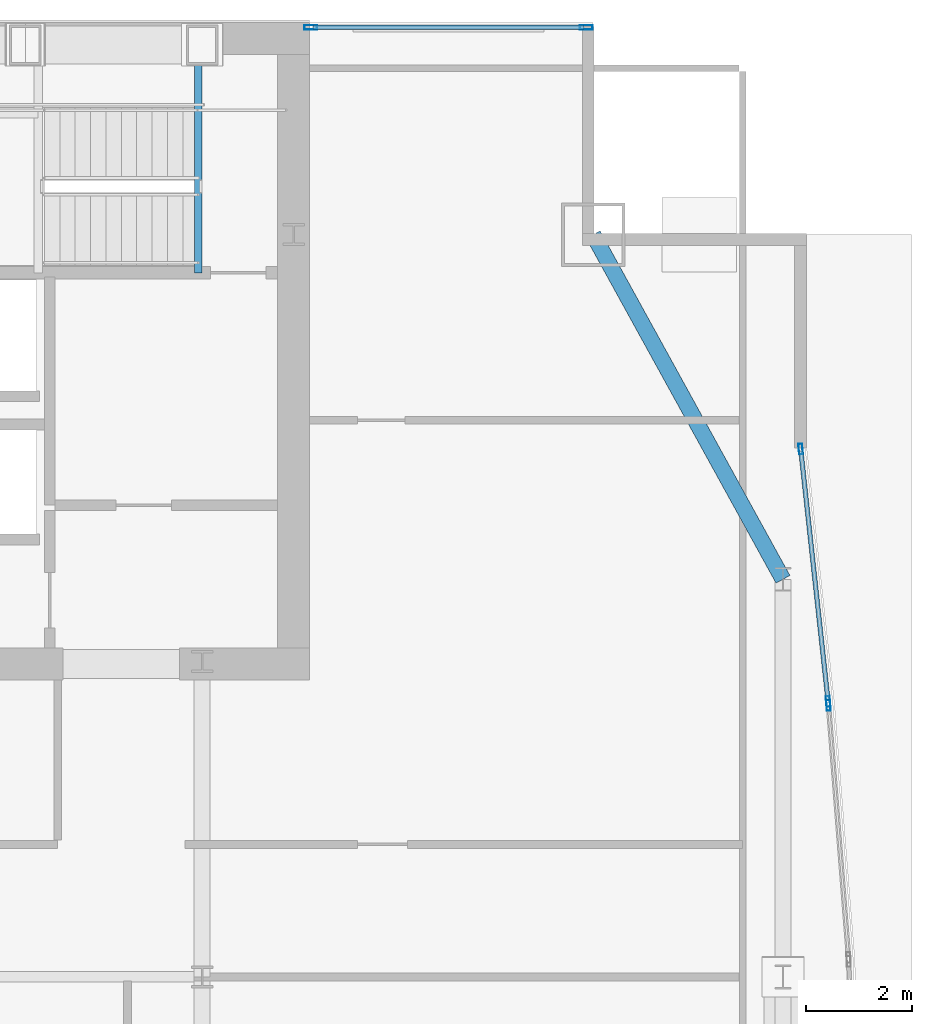
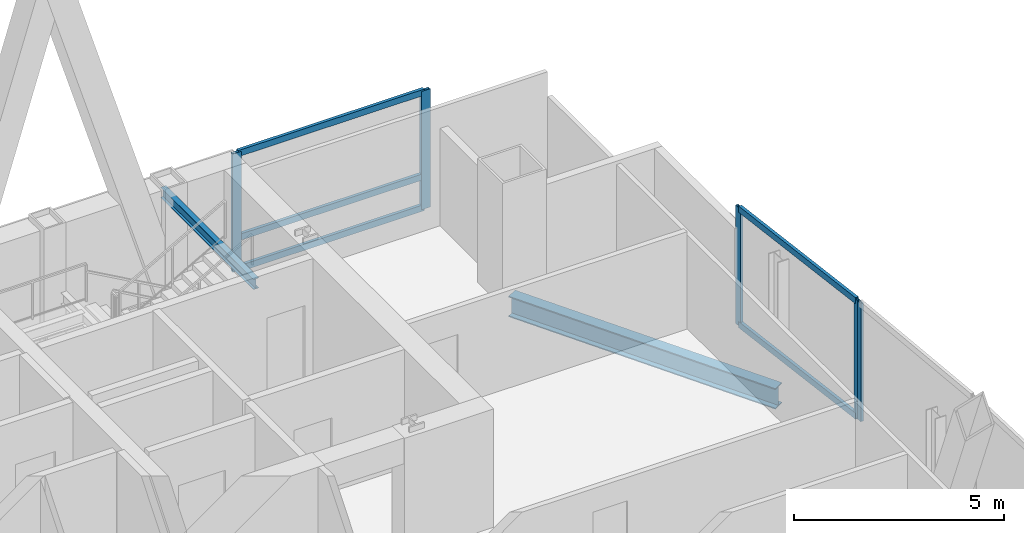
# One storey, part 24 of 32: 10 members, 2 beams, 3 elements without a shape of their own.
"""IFC4 building model written with IfcOpenShell, lengths in metres."""

from ifc_helpers import new_model, si_unit, direction, frame, origin, origin_2d, place, context, subcontext, project, spatial, hollow_rectangle, i_section, extrude, material, material_profile, profile_set, type_object, element, aggregate, save


model = new_model("IFC4")

# Units and contexts
model_context = context("Model", 3, precision=1e-05, world=origin(), true_north=direction((0.0, 1.0)))
body_context = subcontext(model_context, "Body", "Model", "MODEL_VIEW")
ifc_project = project(units=[si_unit("LENGTHUNIT", "METRE"), si_unit("AREAUNIT", "SQUARE_METRE"), si_unit("VOLUMEUNIT", "CUBIC_METRE"), si_unit("PLANEANGLEUNIT", "RADIAN"), si_unit("MASSUNIT", "GRAM", prefix="KILO")], contexts=[model_context])

# Site, building, storey
site_placement = place(None, origin())
site = spatial("IfcSite", under=ifc_project, at=site_placement, CompositionType="ELEMENT")
building_placement = place(site_placement, origin())
building = spatial("IfcBuilding", under=site, at=building_placement, Name="Khoronbel Lancet Exchange", CompositionType="ELEMENT")
storey_placement = place(building_placement, frame((0.0, 0.0, 188.60009765625)))
storey = spatial("IfcBuildingStorey", under=building, at=storey_placement, Name="L47", CompositionType="ELEMENT", Elevation=188.60009765625)

# Beams
ifc_material_1 = material(Name="Steel S355", Category="steel")
ifc_material_profile_1 = material_profile(ifc_material_1, i_section(OverallWidth=0.14990234375, OverallDepth=0.300048828125, WebThickness=0.007080078125, FlangeThickness=0.0107421875, at=origin_2d()), Name="IPE 300")
ifc_profile_set_1 = profile_set([ifc_material_profile_1], Name="Steel S355")
beam_type_1 = type_object("IfcBeamType", Name="BM-BJ8", PredefinedType="JOIST", material=ifc_profile_set_1)
beam_1_placement = place(storey_placement, frame((54.60009765625, 48.97998046875, 3.159912109375), z_axis=(0.0, 1.0, 0.0), x_axis=(-1.0, 0.0, 0.0)))
element("IfcBeam", 1, at=beam_1_placement, inside=storey, type_object=beam_type_1, Name="Level L47 stair ST2 upper-flight arrival trimmer beam", PredefinedType="JOIST", context=body_context, shape_type="SweptSolid", body=[
    extrude(i_section(OverallWidth=0.14990234375, OverallDepth=0.300048828125, WebThickness=0.007080078125, FlangeThickness=0.0107421875, at=origin_2d()), origin(), (0.0, 0.0, 1.0), 4.419921875),
])
ifc_material_profile_2 = material_profile(ifc_material_1, i_section(OverallWidth=0.300048828125, OverallDepth=0.60009765625, WebThickness=0.015380859375, FlangeThickness=0.030029296875, at=origin_2d()), Name="HEB 600")
ifc_profile_set_2 = profile_set([ifc_material_profile_2], Name="Steel S355")
beam_type_2 = type_object("IfcBeamType", Name="BM-BSP2", PredefinedType="SPANDREL", material=ifc_profile_set_2)
beam_2_placement = place(storey_placement, frame((65.6298828125, 43.199951171875, -0.460205078125), z_axis=(-0.482418808117, 0.875940690672, 0.0), x_axis=(-0.875940690672, -0.482418808117, 0.0)))
element("IfcBeam", 2, at=beam_2_placement, inside=storey, type_object=beam_type_2, Name="Level L47 perimeter spandrel beam SP13", PredefinedType="SPANDREL", context=body_context, shape_type="SweptSolid", body=[
    extrude(i_section(OverallWidth=0.300048828125, OverallDepth=0.60009765625, WebThickness=0.015380859375, FlangeThickness=0.030029296875, at=origin_2d()), origin(), (0.0, 0.0, 1.0), 7.420654296875),
])

# Curtain wall, members
ifc_material_2 = material(Name="Low-E Solar Control Insulating Glass", Category="glass")
curtain_wall_type_1 = type_object("IfcCurtainWallType", Name="CW-3", PredefinedType="NOTDEFINED", material=ifc_material_2)
curtain_wall_1_placement = place(storey_placement, origin())
curtain_wall_1 = element("IfcCurtainWall", 3, at=curtain_wall_1_placement, inside=storey, type_object=curtain_wall_type_1, Name="Unitised curtain wall CW-L47-NEFLK", PredefinedType="NOTDEFINED")
ifc_material_3 = material(Name="Bronze-Anodised Aluminium 6063-T6", Category="aluminium")
ifc_material_profile_3 = material_profile(ifc_material_3, hollow_rectangle(XDim=0.0849609375, YDim=0.239990234375, WallThickness=0.006103515625, at=origin_2d()), Name="ALU MULLION 85x240")
ifc_profile_set_3 = profile_set([ifc_material_profile_3], Name="Bronze-Anodised Aluminium 6063-T6")
member_type_1 = type_object("IfcMemberType", Name="MEM-CWM1", PredefinedType="MULLION", material=ifc_profile_set_3)
member_1_placement = place(storey_placement, frame((61.91748046875, 53.610107421875, 0.0), z_axis=(0.0, 0.0, 1.0), x_axis=(0.0, -1.0, 0.0)))
member_1 = element("IfcMember", 4, at=member_1_placement, type_object=member_type_1, Name="CW3 mullion 1", PredefinedType="MULLION", context=body_context, shape_type="SweptSolid", body=[
    extrude(hollow_rectangle(XDim=0.0849609375, YDim=0.239990234375, WallThickness=0.006103515625, at=origin_2d()), origin(), (0.0, 0.0, 1.0), 3.43994140625),
])
member_2_placement = place(storey_placement, frame((56.722412109375, 53.610107421875, 0.0), z_axis=(0.0, 0.0, 1.0), x_axis=(0.0, -1.0, 0.0)))
member_2 = element("IfcMember", 5, at=member_2_placement, type_object=member_type_1, Name="CW3 mullion 2", PredefinedType="MULLION", context=body_context, shape_type="SweptSolid", body=[
    extrude(hollow_rectangle(XDim=0.0849609375, YDim=0.239990234375, WallThickness=0.006103515625, at=origin_2d()), origin(), (0.0, 0.0, 1.0), 3.43994140625),
])

curtain_wall_type_2 = type_object("IfcCurtainWallType", Name="CW-4", PredefinedType="NOTDEFINED", material=ifc_material_2)
curtain_wall_2_placement = place(storey_placement, origin())
curtain_wall_2 = element("IfcCurtainWall", 6, at=curtain_wall_2_placement, inside=storey, type_object=curtain_wall_type_2, Name="Unitised curtain wall CW-L47-E17", PredefinedType="NOTDEFINED")
ifc_material_profile_4 = material_profile(ifc_material_3, hollow_rectangle(XDim=0.074951171875, YDim=0.199951171875, WallThickness=0.0048828125, at=origin_2d()), Name="ALU MULLION 75x200")
ifc_profile_set_4 = profile_set([ifc_material_profile_4], Name="Bronze-Anodised Aluminium 6063-T6")
member_type_2 = type_object("IfcMemberType", Name="MEM-CWM2", PredefinedType="MULLION", material=ifc_profile_set_4)
member_3_placement = place(storey_placement, frame((65.964111328125, 45.65771484375, 0.0), z_axis=(0.0, 0.0, 1.0), x_axis=(0.994151948799, 0.107990289834, 0.0)))
member_3 = element("IfcMember", 7, at=member_3_placement, type_object=member_type_2, Name="CW4 mullion 1", PredefinedType="MULLION", context=body_context, shape_type="SweptSolid", body=[
    extrude(hollow_rectangle(XDim=0.074951171875, YDim=0.199951171875, WallThickness=0.0048828125, at=origin_2d()), origin(), (0.0, 0.0, 1.0), 3.43994140625),
])
member_4_placement = place(storey_placement, frame((66.4814453125, 40.8955078125, 0.0), z_axis=(0.0, 0.0, 1.0), x_axis=(0.994151948799, 0.107990289834, 0.0)))
member_4 = element("IfcMember", 8, at=member_4_placement, type_object=member_type_2, Name="CW4 mullion 2", PredefinedType="MULLION", context=body_context, shape_type="SweptSolid", body=[
    extrude(hollow_rectangle(XDim=0.074951171875, YDim=0.199951171875, WallThickness=0.0048828125, at=origin_2d()), origin(), (0.0, 0.0, 1.0), 3.43994140625),
])

# Curtain wall, member
curtain_wall_3_placement = place(storey_placement, origin())
curtain_wall_3 = element("IfcCurtainWall", 9, at=curtain_wall_3_placement, inside=storey, type_object=curtain_wall_type_2, Name="Unitised curtain wall CW-L47-E18", PredefinedType="NOTDEFINED")
member_5_placement = place(storey_placement, frame((66.48828125, 40.82080078125, 0.0), z_axis=(0.0, 0.0, 1.0), x_axis=(0.996854401909, 0.079254661653, 0.0)))
member_5 = element("IfcMember", 10, at=member_5_placement, type_object=member_type_2, Name="CW4 mullion 1", PredefinedType="MULLION", context=body_context, shape_type="SweptSolid", body=[
    extrude(hollow_rectangle(XDim=0.074951171875, YDim=0.199951171875, WallThickness=0.0048828125, at=origin_2d()), origin(), (0.0, 0.0, 1.0), 3.43994140625),
])
aggregate(curtain_wall_3, [member_5])

# Member
ifc_material_profile_5 = material_profile(ifc_material_3, hollow_rectangle(XDim=0.0849609375, YDim=0.179931640625, WallThickness=0.0048828125, at=origin_2d()), Name="ALU TRANSOM 85x180")
ifc_profile_set_5 = profile_set([ifc_material_profile_5], Name="Bronze-Anodised Aluminium 6063-T6")
member_type_3 = type_object("IfcMemberType", Name="MEM-CWT1", PredefinedType="USERDEFINED", material=ifc_profile_set_5)
member_6_placement = place(storey_placement, frame((61.875, 53.610107421875, 0.04248046875), z_axis=(-1.0, 0.0, 0.0), x_axis=(0.0, -1.0, 0.0)))
member_6 = element("IfcMember", 11, at=member_6_placement, type_object=member_type_3, Name="CW3 transom 1.1", ObjectType="TRANSOM", PredefinedType="USERDEFINED", context=body_context, shape_type="SweptSolid", body=[
    extrude(hollow_rectangle(XDim=0.0849609375, YDim=0.179931640625, WallThickness=0.0048828125, at=origin_2d()), origin(), (0.0, 0.0, 1.0), 5.110107421875),
])

member_7_placement = place(storey_placement, frame((61.875, 53.610107421875, 0.949951171875), z_axis=(-1.0, 0.0, 0.0), x_axis=(0.0, -1.0, 0.0)))
member_7 = element("IfcMember", 12, at=member_7_placement, type_object=member_type_3, Name="CW3 transom 1.2", ObjectType="TRANSOM", PredefinedType="USERDEFINED", context=body_context, shape_type="SweptSolid", body=[
    extrude(hollow_rectangle(XDim=0.0849609375, YDim=0.179931640625, WallThickness=0.0048828125, at=origin_2d()), origin(), (0.0, 0.0, 1.0), 5.110107421875),
])

member_8_placement = place(storey_placement, frame((61.875, 53.610107421875, 3.3974609375), z_axis=(-1.0, 0.0, 0.0), x_axis=(0.0, -1.0, 0.0)))
member_8 = element("IfcMember", 13, at=member_8_placement, type_object=member_type_3, Name="CW3 transom 1.3", ObjectType="TRANSOM", PredefinedType="USERDEFINED", context=body_context, shape_type="SweptSolid", body=[
    extrude(hollow_rectangle(XDim=0.0849609375, YDim=0.179931640625, WallThickness=0.0048828125, at=origin_2d()), origin(), (0.0, 0.0, 1.0), 5.110107421875),
])

aggregate(curtain_wall_1, [member_1, member_2, member_6, member_7, member_8])

member_9_placement = place(storey_placement, frame((65.968017578125, 45.62060546875, 0.04248046875), z_axis=(0.108004671949, -0.994150386429, 0.0), x_axis=(0.994150386429, 0.108004671949, 0.0)))
member_9 = element("IfcMember", 14, at=member_9_placement, type_object=member_type_3, Name="CW4 transom 1.1", ObjectType="TRANSOM", PredefinedType="USERDEFINED", context=body_context, shape_type="SweptSolid", body=[
    extrude(hollow_rectangle(XDim=0.0849609375, YDim=0.179931640625, WallThickness=0.0048828125, at=origin_2d()), origin(), (0.0, 0.0, 1.0), 4.71533203125),
])

member_10_placement = place(storey_placement, frame((65.968017578125, 45.62060546875, 3.3974609375), z_axis=(0.108004671949, -0.994150386429, 0.0), x_axis=(0.994150386429, 0.108004671949, 0.0)))
member_10 = element("IfcMember", 15, at=member_10_placement, type_object=member_type_3, Name="CW4 transom 1.2", ObjectType="TRANSOM", PredefinedType="USERDEFINED", context=body_context, shape_type="SweptSolid", body=[
    extrude(hollow_rectangle(XDim=0.0849609375, YDim=0.179931640625, WallThickness=0.0048828125, at=origin_2d()), origin(), (0.0, 0.0, 1.0), 4.71533203125),
])

aggregate(curtain_wall_2, [member_3, member_4, member_9, member_10])

save(model, "model.ifc")
